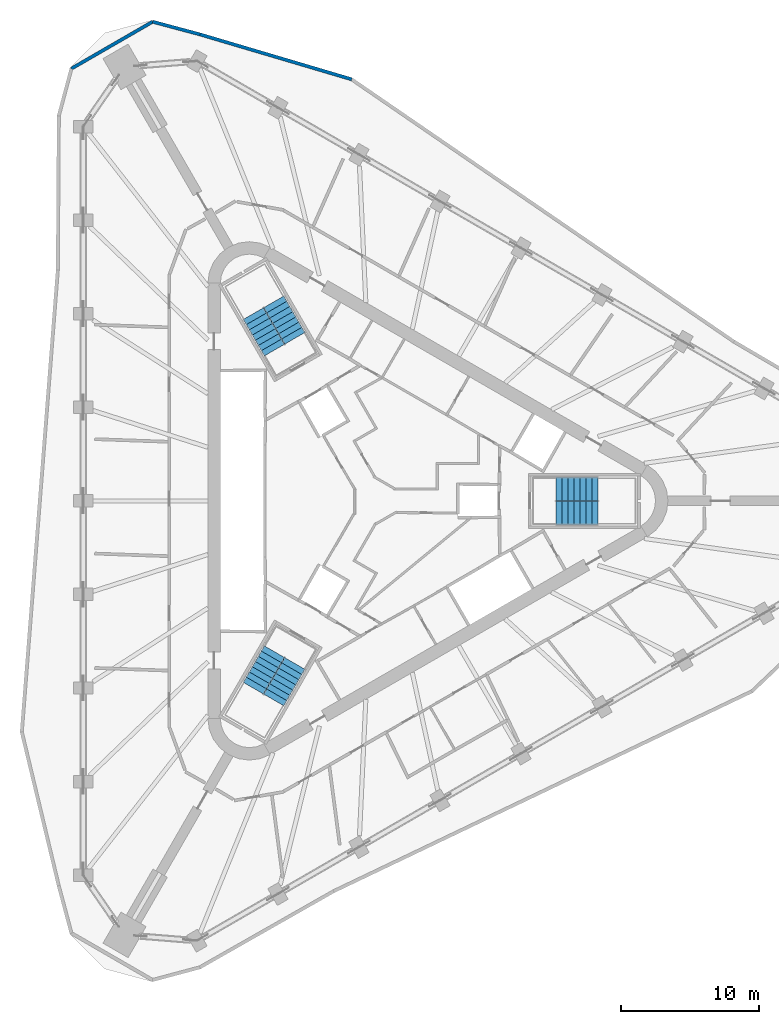
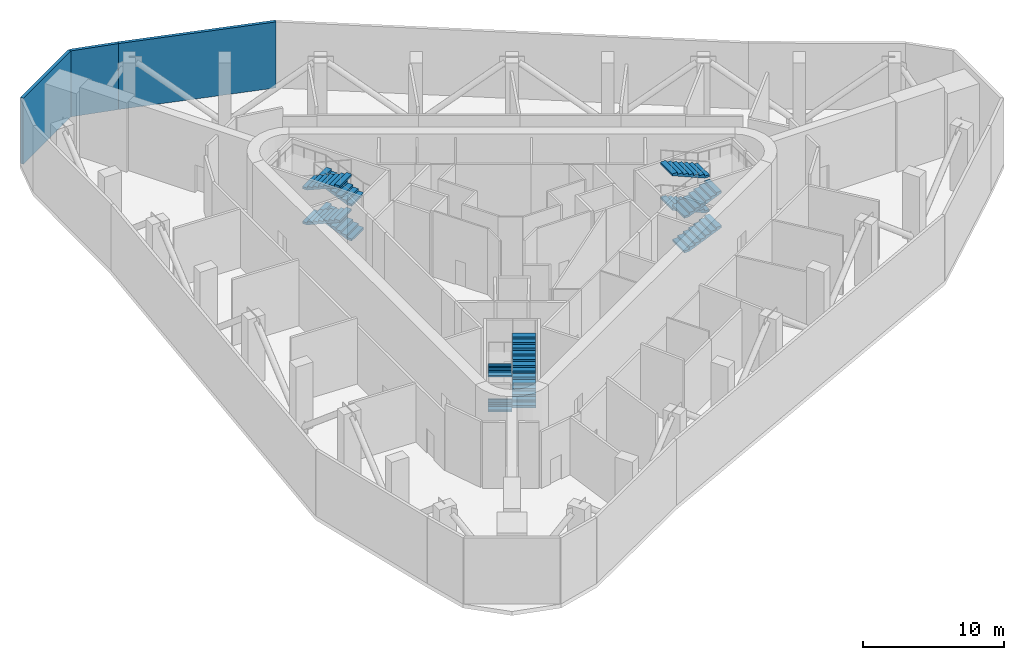
# One storey, part 8 of 12: 12 stair flights, 3 walls, 3 elements without a shape of their own.
"""IFC4 building model written with IfcOpenShell, lengths in metres."""

from ifc_helpers import new_model, si_unit, direction, frame, frame_2d, origin, place, context, subcontext, project, spatial, polyline, rectangle, outline, extrude, material, layer, layer_set, type_object, element, aggregate, save


model = new_model("IFC4")

# Units and contexts
model_context = context("Model", 3, precision=1e-05, world=origin(), true_north=direction((0.0, 1.0)))
body_context = subcontext(model_context, "Body", "Model", "MODEL_VIEW")
ifc_project = project(units=[si_unit("LENGTHUNIT", "METRE"), si_unit("AREAUNIT", "SQUARE_METRE"), si_unit("VOLUMEUNIT", "CUBIC_METRE"), si_unit("PLANEANGLEUNIT", "RADIAN"), si_unit("MASSUNIT", "GRAM", prefix="KILO")], contexts=[model_context])

# Site, building, storey
site_placement = place(None, origin())
site = spatial("IfcSite", under=ifc_project, at=site_placement, CompositionType="ELEMENT")
building_placement = place(site_placement, origin())
building = spatial("IfcBuilding", under=site, at=building_placement, Name="Tanit Gate Tower", CompositionType="ELEMENT")
storey_placement = place(building_placement, frame((0.0, 0.0, 292.699951171875)))
storey = spatial("IfcBuildingStorey", under=building, at=storey_placement, Name="L65", CompositionType="ELEMENT", Elevation=292.699951171875)

# Walls
ifc_material_1 = material(Name="Concrete C30/37 with bronze anodised aluminium cladding", Category="concrete")
ifc_layer = layer(ifc_material_1, 0.239990234375)
ifc_layer_set = layer_set([ifc_layer], Name="Facade wall bronze clad 240")
wall_type = type_object("IfcWallType", Name="Facade wall bronze clad 240", PredefinedType="SOLIDWALL", material=ifc_layer_set)
wall_1_placement = place(storey_placement, frame((-1.69091796875, 30.5126953125, 0.0), z_axis=(0.0, 0.0, 1.0), x_axis=(-0.9588488603, 0.283917000373, 0.0)))
element("IfcWall", 1, at=wall_1_placement, inside=storey, type_object=wall_type, Name="Bronze-clad facade wall L65 NE3", PredefinedType="SOLIDWALL", context=body_context, shape_type="SweptSolid", body=[
    extrude(rectangle(XDim=11.450439453125, YDim=0.239990234375, at=frame_2d((5.72509765625, 0.0))), origin(), (0.0, 0.0, 1.0), 5.699951171875),
])
wall_2_placement = place(storey_placement, frame((-12.670166015625, 33.763671875, 0.0), z_axis=(0.0, 0.0, 1.0), x_axis=(-0.965927175343, 0.258814010312, 0.0)))
element("IfcWall", 2, at=wall_2_placement, inside=storey, type_object=wall_type, Name="Bronze-clad facade wall L65 NW.arc1", PredefinedType="SOLIDWALL", context=body_context, shape_type="SweptSolid", body=[
    extrude(rectangle(XDim=3.549560546875, YDim=0.239990234375, at=frame_2d((1.77490234375, 0.0))), origin(), (0.0, 0.0, 1.0), 5.699951171875),
])
wall_3_placement = place(storey_placement, frame((-16.098876953125, 34.682373046875, 0.0), z_axis=(0.0, 0.0, 1.0), x_axis=(-0.866022320763, -0.500005339912, 0.0)))
element("IfcWall", 3, at=wall_3_placement, inside=storey, type_object=wall_type, Name="Bronze-clad facade wall L65 NW.arc2", PredefinedType="SOLIDWALL", context=body_context, shape_type="SweptSolid", body=[
    extrude(rectangle(XDim=6.79833984375, YDim=0.239990234375, at=frame_2d((3.399169921875, 0.0))), origin(), (0.0, 0.0, 1.0), 5.699951171875),
])

# Stair, stair flights
ifc_material_2 = material(Name="Concrete C40/50", Category="concrete")
stair_type = type_object("IfcStairType", Name="INT-STAIR-EXIT", PredefinedType="HALF_TURN_STAIR", material=ifc_material_2)
stair_1_placement = place(storey_placement, origin())
stair_1 = element("IfcStair", 4, at=stair_1_placement, inside=storey, type_object=stair_type, Name="L65 STAIR S1", PredefinedType="HALF_TURN_STAIR")
ifc_material_3 = material(Name="Concrete C40/50", Category="concrete")
stair_flight_type = type_object("IfcStairFlightType", Name="INT-STAIR-FLIGHT", PredefinedType="STRAIGHT", material=ifc_material_3)
stair_flight_1_placement = place(storey_placement, frame((13.094970703125, -0.8525390625, 0.0), z_axis=(0.0, 0.0, 1.0), x_axis=(1.0, 0.0, 0.0)))
stair_flight_1 = element("IfcStairFlight", 5, at=stair_flight_1_placement, type_object=stair_flight_type, Name="S1 flight 1", NumberOfRisers=8, NumberOfTreads=7, PredefinedType="STRAIGHT", RiserHeight=0.1875, TreadLength=0.435857143, context=body_context, shape_type="SweptSolid", body=[
    extrude(outline(polyline([(0.0, 0.0), (0.0, 0.1875), (0.435791015625, 0.1875), (0.435791015625, 0.375), (0.871826171875, 0.375), (0.871826171875, 0.5625), (1.3076171875, 0.5625), (1.3076171875, 0.75), (1.743408203125, 0.75), (1.743408203125, 0.9375), (2.17919921875, 0.9375), (2.17919921875, 1.125), (2.615234375, 1.125), (2.615234375, 1.3125), (3.051025390625, 1.3125), (3.051025390625, 1.5), (3.051025390625, 1.1494140625), (0.37939453125, 0.0), (0.0, 0.0)])), frame((0.0, 0.84765625, 0.0), z_axis=(0.0, -1.0, 0.0), x_axis=(1.0, 0.0, 0.0)), (0.0, 0.0, 1.0), 1.695068359375),
])
stair_flight_2_placement = place(storey_placement, frame((16.14599609375, 0.8525390625, 1.5), z_axis=(0.0, 0.0, 1.0), x_axis=(-1.0, 0.0, 0.0)))
stair_flight_2 = element("IfcStairFlight", 6, at=stair_flight_2_placement, type_object=stair_flight_type, Name="S1 flight 2", NumberOfRisers=8, NumberOfTreads=7, PredefinedType="STRAIGHT", RiserHeight=0.1875, TreadLength=0.435857143, context=body_context, shape_type="SweptSolid", body=[
    extrude(outline(polyline([(0.0, 0.0), (0.0, 0.1875), (0.435791015625, 0.1875), (0.435791015625, 0.375), (0.871826171875, 0.375), (0.871826171875, 0.5625), (1.3076171875, 0.5625), (1.3076171875, 0.75), (1.743408203125, 0.75), (1.743408203125, 0.9375), (2.17919921875, 0.9375), (2.17919921875, 1.125), (2.615234375, 1.125), (2.615234375, 1.3125), (3.051025390625, 1.3125), (3.051025390625, 1.5), (3.051025390625, 1.1494140625), (0.37939453125, 0.0), (0.0, 0.0)])), frame((0.0, 0.84765625, 0.0), z_axis=(0.0, -1.0, 0.0), x_axis=(1.0, 0.0, 0.0)), (0.0, 0.0, 1.0), 1.695068359375),
])
stair_flight_3_placement = place(storey_placement, frame((13.094970703125, -0.8525390625, 3.0), z_axis=(0.0, 0.0, 1.0), x_axis=(1.0, 0.0, 0.0)))
stair_flight_3 = element("IfcStairFlight", 7, at=stair_flight_3_placement, type_object=stair_flight_type, Name="S1 flight 3", NumberOfRisers=8, NumberOfTreads=7, PredefinedType="STRAIGHT", RiserHeight=0.1875, TreadLength=0.435857143, context=body_context, shape_type="SweptSolid", body=[
    extrude(outline(polyline([(0.0, 0.0), (0.0, 0.1875), (0.435791015625, 0.1875), (0.435791015625, 0.375), (0.871826171875, 0.375), (0.871826171875, 0.5625), (1.3076171875, 0.5625), (1.3076171875, 0.75), (1.743408203125, 0.75), (1.743408203125, 0.9375), (2.17919921875, 0.9375), (2.17919921875, 1.125), (2.615234375, 1.125), (2.615234375, 1.3125), (3.051025390625, 1.3125), (3.051025390625, 1.5), (3.051025390625, 1.1494140625), (0.37939453125, 0.0), (0.0, 0.0)])), frame((0.0, 0.84765625, 0.0), z_axis=(0.0, -1.0, 0.0), x_axis=(1.0, 0.0, 0.0)), (0.0, 0.0, 1.0), 1.695068359375),
])
stair_flight_4_placement = place(storey_placement, frame((16.14599609375, 0.8525390625, 4.5), z_axis=(0.0, 0.0, 1.0), x_axis=(-1.0, 0.0, 0.0)))
stair_flight_4 = element("IfcStairFlight", 8, at=stair_flight_4_placement, type_object=stair_flight_type, Name="S1 flight 4", NumberOfRisers=8, NumberOfTreads=7, PredefinedType="STRAIGHT", RiserHeight=0.1875, TreadLength=0.435857143, context=body_context, shape_type="SweptSolid", body=[
    extrude(outline(polyline([(0.0, 0.0), (0.0, 0.1875), (0.435791015625, 0.1875), (0.435791015625, 0.375), (0.871826171875, 0.375), (0.871826171875, 0.5625), (1.3076171875, 0.5625), (1.3076171875, 0.75), (1.743408203125, 0.75), (1.743408203125, 0.9375), (2.17919921875, 0.9375), (2.17919921875, 1.125), (2.615234375, 1.125), (2.615234375, 1.3125), (3.051025390625, 1.3125), (3.051025390625, 1.5), (3.051025390625, 1.1494140625), (0.37939453125, 0.0), (0.0, 0.0)])), frame((0.0, 0.84765625, 0.0), z_axis=(0.0, -1.0, 0.0), x_axis=(1.0, 0.0, 0.0)), (0.0, 0.0, 1.0), 1.695068359375),
])
aggregate(stair_1, [stair_flight_1, stair_flight_2, stair_flight_3, stair_flight_4])

stair_2_placement = place(storey_placement, origin())
stair_2 = element("IfcStair", 9, at=stair_2_placement, inside=storey, type_object=stair_type, Name="L65 STAIR S2", PredefinedType="HALF_TURN_STAIR")
stair_flight_5_placement = place(storey_placement, frame((-5.808349609375, 11.766357421875, 0.0), z_axis=(0.0, 0.0, 1.0), x_axis=(-0.5, 0.866025403784, 0.0)))
stair_flight_5 = element("IfcStairFlight", 10, at=stair_flight_5_placement, type_object=stair_flight_type, Name="S2 flight 1", NumberOfRisers=8, NumberOfTreads=7, PredefinedType="STRAIGHT", RiserHeight=0.1875, TreadLength=0.4356, context=body_context, shape_type="SweptSolid", body=[
    extrude(outline(polyline([(0.0, 0.0), (0.0, 0.1875), (0.435546875, 0.1875), (0.435546875, 0.375), (0.87109375, 0.375), (0.87109375, 0.5625), (1.306884765625, 0.5625), (1.306884765625, 0.75), (1.742431640625, 0.75), (1.742431640625, 0.9375), (2.177978515625, 0.9375), (2.177978515625, 1.125), (2.613525390625, 1.125), (2.613525390625, 1.3125), (3.04931640625, 1.3125), (3.04931640625, 1.5), (3.04931640625, 1.1494140625), (0.379150390625, 0.0), (0.0, 0.0)])), frame((0.0, 0.84716796875, 0.0), z_axis=(0.0, -1.0, 0.0), x_axis=(1.0, 0.0, 0.0)), (0.0, 0.0, 1.0), 1.694091796875),
])
stair_flight_6_placement = place(storey_placement, frame((-8.810302734375, 13.553955078125, 1.5), z_axis=(0.0, 0.0, 1.0), x_axis=(0.5, -0.866025403784, 0.0)))
stair_flight_6 = element("IfcStairFlight", 11, at=stair_flight_6_placement, type_object=stair_flight_type, Name="S2 flight 2", NumberOfRisers=8, NumberOfTreads=7, PredefinedType="STRAIGHT", RiserHeight=0.1875, TreadLength=0.4356, context=body_context, shape_type="SweptSolid", body=[
    extrude(outline(polyline([(0.0, 0.0), (0.0, 0.1875), (0.435546875, 0.1875), (0.435546875, 0.375), (0.87109375, 0.375), (0.87109375, 0.5625), (1.306884765625, 0.5625), (1.306884765625, 0.75), (1.742431640625, 0.75), (1.742431640625, 0.9375), (2.177978515625, 0.9375), (2.177978515625, 1.125), (2.613525390625, 1.125), (2.613525390625, 1.3125), (3.04931640625, 1.3125), (3.04931640625, 1.5), (3.04931640625, 1.1494140625), (0.379150390625, 0.0), (0.0, 0.0)])), frame((0.0, 0.84716796875, 0.0), z_axis=(0.0, -1.0, 0.0), x_axis=(1.0, 0.0, 0.0)), (0.0, 0.0, 1.0), 1.694091796875),
])
stair_flight_7_placement = place(storey_placement, frame((-5.808349609375, 11.766357421875, 3.0), z_axis=(0.0, 0.0, 1.0), x_axis=(-0.5, 0.866025403784, 0.0)))
stair_flight_7 = element("IfcStairFlight", 12, at=stair_flight_7_placement, type_object=stair_flight_type, Name="S2 flight 3", NumberOfRisers=8, NumberOfTreads=7, PredefinedType="STRAIGHT", RiserHeight=0.1875, TreadLength=0.4356, context=body_context, shape_type="SweptSolid", body=[
    extrude(outline(polyline([(0.0, 0.0), (0.0, 0.1875), (0.435546875, 0.1875), (0.435546875, 0.375), (0.87109375, 0.375), (0.87109375, 0.5625), (1.306884765625, 0.5625), (1.306884765625, 0.75), (1.742431640625, 0.75), (1.742431640625, 0.9375), (2.177978515625, 0.9375), (2.177978515625, 1.125), (2.613525390625, 1.125), (2.613525390625, 1.3125), (3.04931640625, 1.3125), (3.04931640625, 1.5), (3.04931640625, 1.1494140625), (0.379150390625, 0.0), (0.0, 0.0)])), frame((0.0, 0.84716796875, 0.0), z_axis=(0.0, -1.0, 0.0), x_axis=(1.0, 0.0, 0.0)), (0.0, 0.0, 1.0), 1.694091796875),
])
stair_flight_8_placement = place(storey_placement, frame((-8.810302734375, 13.553955078125, 4.5), z_axis=(0.0, 0.0, 1.0), x_axis=(0.5, -0.866025403784, 0.0)))
stair_flight_8 = element("IfcStairFlight", 13, at=stair_flight_8_placement, type_object=stair_flight_type, Name="S2 flight 4", NumberOfRisers=8, NumberOfTreads=7, PredefinedType="STRAIGHT", RiserHeight=0.1875, TreadLength=0.4356, context=body_context, shape_type="SweptSolid", body=[
    extrude(outline(polyline([(0.0, 0.0), (0.0, 0.1875), (0.435546875, 0.1875), (0.435546875, 0.375), (0.87109375, 0.375), (0.87109375, 0.5625), (1.306884765625, 0.5625), (1.306884765625, 0.75), (1.742431640625, 0.75), (1.742431640625, 0.9375), (2.177978515625, 0.9375), (2.177978515625, 1.125), (2.613525390625, 1.125), (2.613525390625, 1.3125), (3.04931640625, 1.3125), (3.04931640625, 1.5), (3.04931640625, 1.1494140625), (0.379150390625, 0.0), (0.0, 0.0)])), frame((0.0, 0.84716796875, 0.0), z_axis=(0.0, -1.0, 0.0), x_axis=(1.0, 0.0, 0.0)), (0.0, 0.0, 1.0), 1.694091796875),
])
aggregate(stair_2, [stair_flight_5, stair_flight_6, stair_flight_7, stair_flight_8])

stair_3_placement = place(storey_placement, origin())
stair_3 = element("IfcStair", 14, at=stair_3_placement, inside=storey, type_object=stair_type, Name="L65 STAIR S3", PredefinedType="HALF_TURN_STAIR")
stair_flight_9_placement = place(storey_placement, frame((-7.285888671875, -10.914306640625, 0.0), z_axis=(0.0, 0.0, 1.0), x_axis=(-0.5, -0.866025403784, 0.0)))
stair_flight_9 = element("IfcStairFlight", 15, at=stair_flight_9_placement, type_object=stair_flight_type, Name="S3 flight 1", NumberOfRisers=8, NumberOfTreads=7, PredefinedType="STRAIGHT", RiserHeight=0.1875, TreadLength=0.435857143, context=body_context, shape_type="SweptSolid", body=[
    extrude(outline(polyline([(0.0, 0.0), (0.0, 0.1875), (0.435791015625, 0.1875), (0.435791015625, 0.375), (0.871826171875, 0.375), (0.871826171875, 0.5625), (1.3076171875, 0.5625), (1.3076171875, 0.75), (1.743408203125, 0.75), (1.743408203125, 0.9375), (2.17919921875, 0.9375), (2.17919921875, 1.125), (2.615234375, 1.125), (2.615234375, 1.3125), (3.051025390625, 1.3125), (3.051025390625, 1.5), (3.051025390625, 1.1494140625), (0.37939453125, 0.0), (0.0, 0.0)])), frame((0.0, 0.84765625, 0.0), z_axis=(0.0, -1.0, 0.0), x_axis=(1.0, 0.0, 0.0)), (0.0, 0.0, 1.0), 1.695068359375),
])
stair_flight_10_placement = place(storey_placement, frame((-7.334716796875, -14.4091796875, 1.5), z_axis=(0.0, 0.0, 1.0), x_axis=(0.5, 0.866025403784, 0.0)))
stair_flight_10 = element("IfcStairFlight", 16, at=stair_flight_10_placement, type_object=stair_flight_type, Name="S3 flight 2", NumberOfRisers=8, NumberOfTreads=7, PredefinedType="STRAIGHT", RiserHeight=0.1875, TreadLength=0.435857143, context=body_context, shape_type="SweptSolid", body=[
    extrude(outline(polyline([(0.0, 0.0), (0.0, 0.1875), (0.435791015625, 0.1875), (0.435791015625, 0.375), (0.871826171875, 0.375), (0.871826171875, 0.5625), (1.3076171875, 0.5625), (1.3076171875, 0.75), (1.743408203125, 0.75), (1.743408203125, 0.9375), (2.17919921875, 0.9375), (2.17919921875, 1.125), (2.615234375, 1.125), (2.615234375, 1.3125), (3.051025390625, 1.3125), (3.051025390625, 1.5), (3.051025390625, 1.1494140625), (0.37939453125, 0.0), (0.0, 0.0)])), frame((0.0, 0.84765625, 0.0), z_axis=(0.0, -1.0, 0.0), x_axis=(1.0, 0.0, 0.0)), (0.0, 0.0, 1.0), 1.695068359375),
])
stair_flight_11_placement = place(storey_placement, frame((-7.285888671875, -10.914306640625, 3.0), z_axis=(0.0, 0.0, 1.0), x_axis=(-0.5, -0.866025403784, 0.0)))
stair_flight_11 = element("IfcStairFlight", 17, at=stair_flight_11_placement, type_object=stair_flight_type, Name="S3 flight 3", NumberOfRisers=8, NumberOfTreads=7, PredefinedType="STRAIGHT", RiserHeight=0.1875, TreadLength=0.435857143, context=body_context, shape_type="SweptSolid", body=[
    extrude(outline(polyline([(0.0, 0.0), (0.0, 0.1875), (0.435791015625, 0.1875), (0.435791015625, 0.375), (0.871826171875, 0.375), (0.871826171875, 0.5625), (1.3076171875, 0.5625), (1.3076171875, 0.75), (1.743408203125, 0.75), (1.743408203125, 0.9375), (2.17919921875, 0.9375), (2.17919921875, 1.125), (2.615234375, 1.125), (2.615234375, 1.3125), (3.051025390625, 1.3125), (3.051025390625, 1.5), (3.051025390625, 1.1494140625), (0.37939453125, 0.0), (0.0, 0.0)])), frame((0.0, 0.84765625, 0.0), z_axis=(0.0, -1.0, 0.0), x_axis=(1.0, 0.0, 0.0)), (0.0, 0.0, 1.0), 1.695068359375),
])
stair_flight_12_placement = place(storey_placement, frame((-7.334716796875, -14.4091796875, 4.5), z_axis=(0.0, 0.0, 1.0), x_axis=(0.5, 0.866025403784, 0.0)))
stair_flight_12 = element("IfcStairFlight", 18, at=stair_flight_12_placement, type_object=stair_flight_type, Name="S3 flight 4", NumberOfRisers=8, NumberOfTreads=7, PredefinedType="STRAIGHT", RiserHeight=0.1875, TreadLength=0.435857143, context=body_context, shape_type="SweptSolid", body=[
    extrude(outline(polyline([(0.0, 0.0), (0.0, 0.1875), (0.435791015625, 0.1875), (0.435791015625, 0.375), (0.871826171875, 0.375), (0.871826171875, 0.5625), (1.3076171875, 0.5625), (1.3076171875, 0.75), (1.743408203125, 0.75), (1.743408203125, 0.9375), (2.17919921875, 0.9375), (2.17919921875, 1.125), (2.615234375, 1.125), (2.615234375, 1.3125), (3.051025390625, 1.3125), (3.051025390625, 1.5), (3.051025390625, 1.1494140625), (0.37939453125, 0.0), (0.0, 0.0)])), frame((0.0, 0.84765625, 0.0), z_axis=(0.0, -1.0, 0.0), x_axis=(1.0, 0.0, 0.0)), (0.0, 0.0, 1.0), 1.695068359375),
])
aggregate(stair_3, [stair_flight_9, stair_flight_10, stair_flight_11, stair_flight_12])

save(model, "model.ifc")
